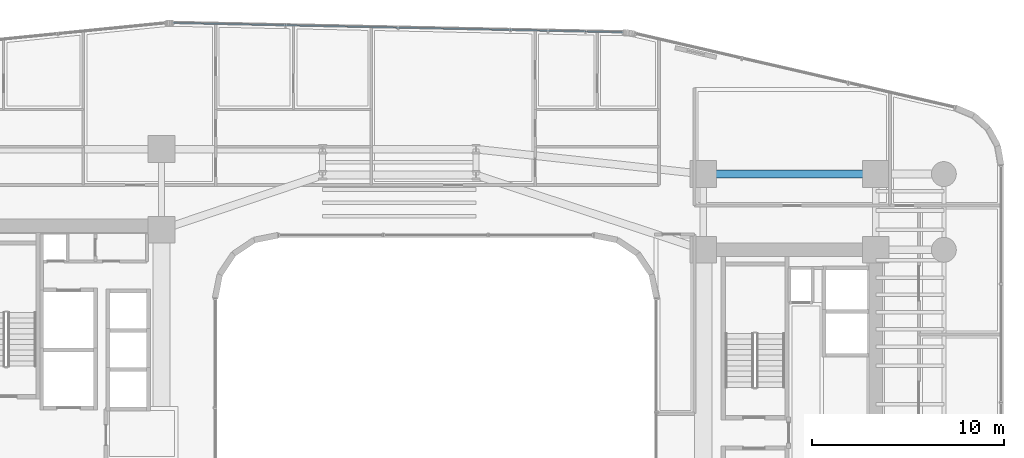
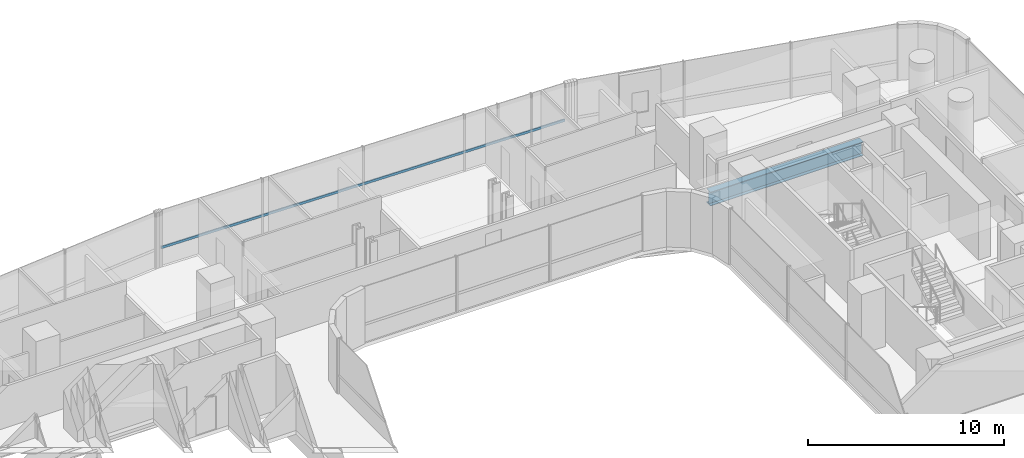
# One storey, part 22 of 40: 1 beam, 1 member, 1 element without a shape of its own.
"""IFC4 building model written with IfcOpenShell, lengths in metres."""

from ifc_helpers import new_model, si_unit, direction, frame, origin, origin_2d, place, context, subcontext, project, spatial, hollow_rectangle, i_section, extrude, source, transform, mapped, material, material_profile, profile_set, type_object, element, aggregate, save


model = new_model("IFC4")

# Units and contexts
model_context = context("Model", 3, precision=1e-05, world=origin(), true_north=direction((0.0, 1.0)))
body_context = subcontext(model_context, "Body", "Model", "MODEL_VIEW")
ifc_project = project(units=[si_unit("LENGTHUNIT", "METRE"), si_unit("AREAUNIT", "SQUARE_METRE"), si_unit("VOLUMEUNIT", "CUBIC_METRE"), si_unit("PLANEANGLEUNIT", "RADIAN"), si_unit("MASSUNIT", "GRAM", prefix="KILO")], contexts=[model_context])

# Site, building, storey
site_placement = place(None, origin())
site = spatial("IfcSite", under=ifc_project, at=site_placement, CompositionType="ELEMENT")
building_placement = place(site_placement, origin())
building = spatial("IfcBuilding", under=site, at=building_placement, Name="Valdorenza Pilgrim Sanctuary Tower", CompositionType="ELEMENT")
storey_placement = place(building_placement, frame((0.0, 0.0, 44.5)))
storey = spatial("IfcBuildingStorey", under=building, at=storey_placement, Name="L10", CompositionType="ELEMENT", Elevation=44.5)

# Beam
ifc_material_1 = material(Name="Steel ASTM A992 Grade 50", Category="steel")
ifc_material_profile_1 = material_profile(ifc_material_1, i_section(OverallWidth=0.39990234375, OverallDepth=0.862060546875, WebThickness=0.019775390625, FlangeThickness=0.032470703125, at=origin_2d()), Name="W33X221")
ifc_profile_set_1 = profile_set([ifc_material_profile_1], Name="Steel ASTM A992 Grade 50")
beam_type = type_object("IfcBeamType", Name="STR-BM-GRD-W33", PredefinedType="BEAM", material=ifc_profile_set_1)
shared_shape_1 = source(origin(), body_context, "Body", "SweptSolid", [
    extrude(i_section(OverallWidth=0.39990234375, OverallDepth=0.862060546875, WebThickness=0.019775390625, FlangeThickness=0.032470703125, at=origin_2d()), origin(), (0.0, 0.0, 1.0), 9.0),
])
beam_placement = place(storey_placement, frame((15.85009765625, 13.5, -0.6708984375), z_axis=(1.0, 0.0, 0.0), x_axis=(0.0, 1.0, 0.0)))
element("IfcBeam", 1, at=beam_placement, inside=storey, type_object=beam_type, Name="L10 Floor Girder CB-XC-N2", PredefinedType="BEAM", context=body_context, shape_type="MappedRepresentation", body=[
    mapped(shared_shape_1, transform((0.0, 0.0, 0.0), x_axis=(1.0, 0.0, 0.0), y_axis=(0.0, 1.0, 0.0), z_axis=(0.0, 0.0, 1.0), scale=1.0)),
])

# Curtain wall, member
ifc_material_2 = material(Name="Curtain-wall IGU glazing", Category="glass")
curtain_wall_type = type_object("IfcCurtainWallType", Name="CW-SYS-02", PredefinedType="NOTDEFINED", material=ifc_material_2)
curtain_wall_placement = place(storey_placement, origin())
curtain_wall = element("IfcCurtainWall", 2, at=curtain_wall_placement, inside=storey, type_object=curtain_wall_type, Name="L10 Curtain Wall CW-L10-1-11", PredefinedType="NOTDEFINED")
ifc_material_3 = material(Name="Anodised aluminium AW-6060", Category="aluminium")
ifc_material_profile_2 = material_profile(ifc_material_3, hollow_rectangle(XDim=0.074951171875, YDim=0.14990234375, WallThickness=0.00390625, at=origin_2d()), Name="ALU-T 150x75x4")
ifc_profile_set_2 = profile_set([ifc_material_profile_2], Name="Anodised aluminium AW-6060")
member_type = type_object("IfcMemberType", Name="CW-TRN-02", PredefinedType="USERDEFINED", material=ifc_profile_set_2)
shared_shape_2 = source(origin(), body_context, "Body", "SweptSolid", [
    extrude(hollow_rectangle(XDim=0.074951171875, YDim=0.14990234375, WallThickness=0.00390625, at=origin_2d()), origin(), (0.0, 0.0, 1.0), 23.479248046875),
])
member_placement = place(storey_placement, frame((-11.808349609375, 21.385986328125, 1.1201171875), z_axis=(0.999783083794, -0.020827514476, 0.0), x_axis=(0.020827514476, 0.999783083794, 0.0)))
member = element("IfcMember", 3, at=member_placement, type_object=member_type, Name="CW-L10-1-11 Transom 1", ObjectType="TRANSOM", PredefinedType="USERDEFINED", context=body_context, shape_type="MappedRepresentation", body=[
    mapped(shared_shape_2, transform((0.0, 0.0, 0.0), x_axis=(1.0, 0.0, 0.0), y_axis=(0.0, 1.0, 0.0), z_axis=(0.0, 0.0, 1.0), scale=1.0)),
])
aggregate(curtain_wall, [member])

save(model, "model.ifc")
